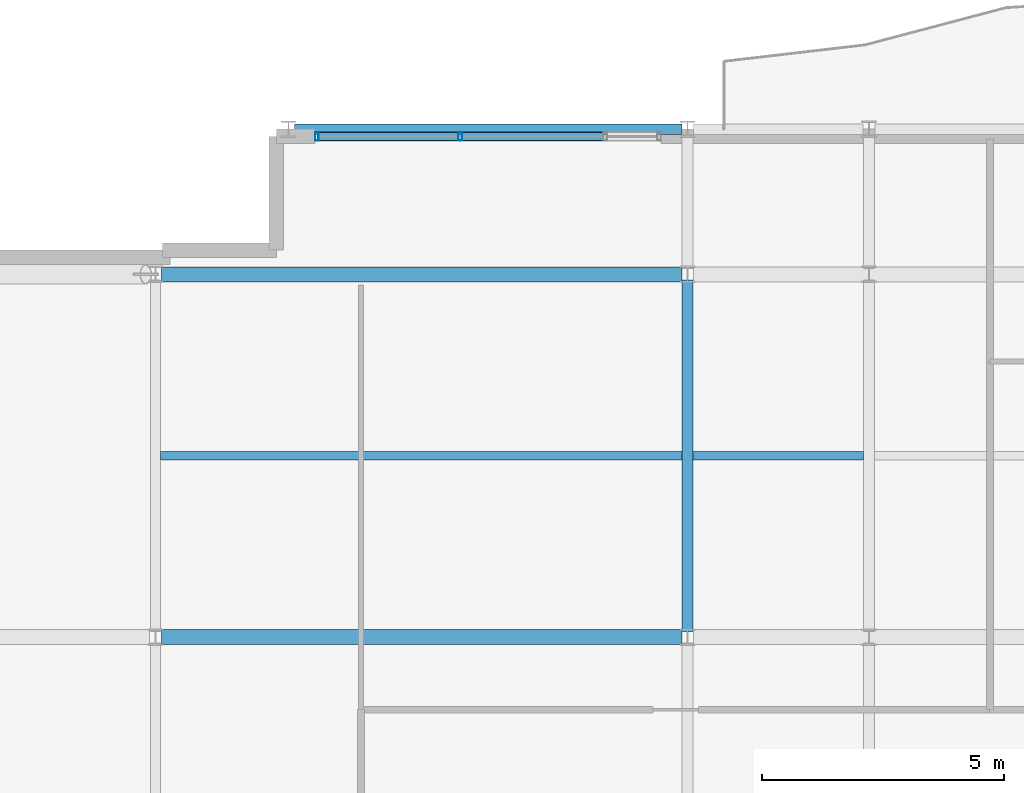
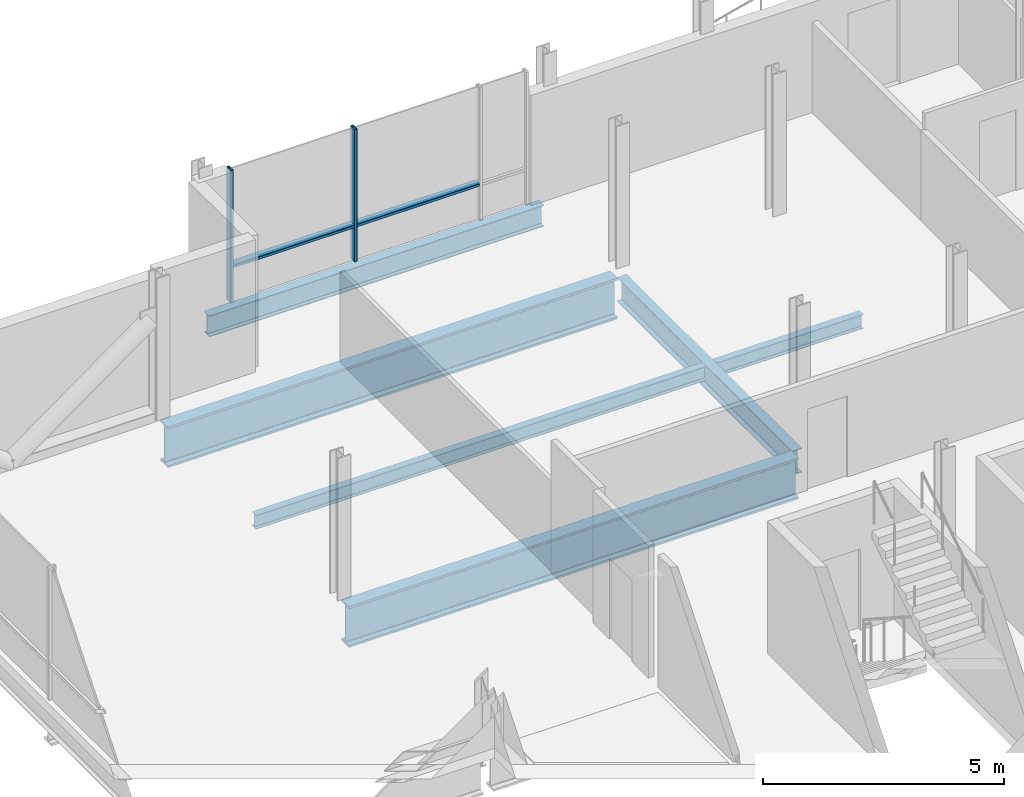
# One storey, part 5 of 18: 6 beams, 4 members, 1 element without a shape of its own.
"""IFC4 building model written with IfcOpenShell, lengths in metres."""

from ifc_helpers import new_model, si_unit, direction, frame, origin, origin_2d, place, context, subcontext, project, spatial, hollow_rectangle, i_section, extrude, material, layer, layer_set, material_profile, profile_set, type_object, element, aggregate, save


model = new_model("IFC4")

# Units and contexts
model_context = context("Model", 3, precision=1e-05, world=origin(), true_north=direction((0.0, 1.0)))
body_context = subcontext(model_context, "Body", "Model", "MODEL_VIEW")
ifc_project = project(units=[si_unit("LENGTHUNIT", "METRE"), si_unit("AREAUNIT", "SQUARE_METRE"), si_unit("VOLUMEUNIT", "CUBIC_METRE"), si_unit("PLANEANGLEUNIT", "RADIAN"), si_unit("MASSUNIT", "GRAM", prefix="KILO")], contexts=[model_context])

# Site, building, storey
site_placement = place(None, origin())
site = spatial("IfcSite", under=ifc_project, at=site_placement, CompositionType="ELEMENT")
building_placement = place(site_placement, origin())
building = spatial("IfcBuilding", under=site, at=building_placement, Name="Brevholm Reach", CompositionType="ELEMENT")
storey_placement = place(building_placement, frame((0.0, 0.0, 240.050048828125)))
storey = spatial("IfcBuildingStorey", under=building, at=storey_placement, Name="L73", CompositionType="ELEMENT", Elevation=240.050048828125)

# Beams
ifc_material_1 = material(Name="Structural Steel S355J2", Category="steel")
ifc_material_profile_1 = material_profile(ifc_material_1, i_section(OverallWidth=0.17138671875, OverallDepth=0.35498046875, WebThickness=0.00732421875, FlangeThickness=0.011474609375, FilletRadius=0.01025390625, at=origin_2d()), Name="UKB 356x171x51")
ifc_profile_set_1 = profile_set([ifc_material_profile_1], Name="Structural Steel S355J2")
beam_type_1 = type_object("IfcBeamType", Name="BM-B356", PredefinedType="BEAM", material=ifc_profile_set_1)
beam_1_placement = place(storey_placement, frame((27.35546875, 19.75, -0.427490234375), z_axis=(1.0, 0.0, 0.0), x_axis=(0.0, 1.0, 0.0)))
element("IfcBeam", 1, at=beam_1_placement, inside=storey, type_object=beam_type_1, Name="L73 Composite Secondary Floor Beam", PredefinedType="BEAM", context=body_context, shape_type="SweptSolid", body=[
    extrude(i_section(OverallWidth=0.17138671875, OverallDepth=0.35498046875, WebThickness=0.00732421875, FlangeThickness=0.011474609375, FilletRadius=0.01025390625, at=origin_2d()), origin(), (0.0, 0.0, 1.0), 10.780029296875),
])
beam_2_placement = place(storey_placement, frame((38.364501953125, 19.75, -0.427490234375), z_axis=(1.0, 0.0, 0.0), x_axis=(0.0, 1.0, 0.0)))
element("IfcBeam", 2, at=beam_2_placement, inside=storey, type_object=beam_type_1, Name="L73 Composite Secondary Floor Beam", PredefinedType="BEAM", context=body_context, shape_type="SweptSolid", body=[
    extrude(i_section(OverallWidth=0.17138671875, OverallDepth=0.35498046875, WebThickness=0.00732421875, FlangeThickness=0.011474609375, FilletRadius=0.01025390625, at=origin_2d()), origin(), (0.0, 0.0, 1.0), 3.52099609375),
])
ifc_material_2 = material(Name="Structural Steel S355J2", Category="steel")
ifc_material_profile_2 = material_profile(ifc_material_2, i_section(OverallWidth=0.210693359375, OverallDepth=0.53955078125, WebThickness=0.01171875, FlangeThickness=0.018798828125, FilletRadius=0.0126953125, at=origin_2d()), Name="UKB 533x210x109")
ifc_profile_set_2 = profile_set([ifc_material_profile_2], Name="Structural Steel S355J2")
beam_type_2 = type_object("IfcBeamType", Name="BM-SP539", PredefinedType="SPANDREL", material=ifc_profile_set_2)
beam_3_placement = place(storey_placement, frame((30.1201171875, 26.5, -0.519775390625), z_axis=(1.0, 0.0, 0.0), x_axis=(0.0, 1.0, 0.0)))
element("IfcBeam", 3, at=beam_3_placement, inside=storey, type_object=beam_type_2, Name="L73 SP-01B Framing Beam", PredefinedType="SPANDREL", context=body_context, shape_type="SweptSolid", body=[
    extrude(i_section(OverallWidth=0.210693359375, OverallDepth=0.53955078125, WebThickness=0.01171875, FlangeThickness=0.018798828125, FilletRadius=0.0126953125, at=origin_2d()), origin(), (0.0, 0.0, 1.0), 8.009765625),
])
ifc_material_3 = material(Name="Structural Steel S355J2", Category="steel")
ifc_material_profile_3 = material_profile(ifc_material_3, i_section(OverallWidth=0.22900390625, OverallDepth=0.6123046875, WebThickness=0.011962890625, FlangeThickness=0.01953125, FilletRadius=0.0126953125, at=origin_2d()), Name="UKB 610x229x125")
ifc_profile_set_3 = profile_set([ifc_material_profile_3], Name="Structural Steel S355J2")
beam_type_3 = type_object("IfcBeamType", Name="BM-SP610", PredefinedType="SPANDREL", material=ifc_profile_set_3)
beam_4_placement = place(storey_placement, frame((38.25, 16.1201171875, -0.55615234375), z_axis=(0.0, 1.0, 0.0), x_axis=(-1.0, 0.0, 0.0)))
element("IfcBeam", 4, at=beam_4_placement, inside=storey, type_object=beam_type_3, Name="L73 SP-01 Framing Beam", PredefinedType="SPANDREL", context=body_context, shape_type="SweptSolid", body=[
    extrude(i_section(OverallWidth=0.22900390625, OverallDepth=0.6123046875, WebThickness=0.011962890625, FlangeThickness=0.01953125, FilletRadius=0.0126953125, at=origin_2d()), origin(), (0.0, 0.0, 1.0), 7.259765625),
])
ifc_material_4 = material(Name="Structural Steel S460ML", Category="steel")
ifc_material_profile_4 = material_profile(ifc_material_4, i_section(OverallWidth=0.30859375, OverallDepth=1.036376953125, WebThickness=0.030029296875, FlangeThickness=0.05419921875, FilletRadius=0.030029296875, at=origin_2d()), Name="UKB 1016x305x487")
ifc_profile_set_4 = profile_set([ifc_material_profile_4], Name="Structural Steel S460ML")
beam_type_4 = type_object("IfcBeamType", Name="BM-UKB1016", PredefinedType="USERDEFINED", material=ifc_profile_set_4)
for number, where, z_axis, x_axis, name in (
    (5, (27.3701171875, 16.0, -0.768310546875), (1.0, 0.0, 0.0), (0.0, 1.0, 0.0), "L73 Sky-Lounge Back-Span Girder 1"),
    (6, (27.3701171875, 23.5, -0.768310546875), (1.0, 0.0, 0.0), (0.0, 1.0, 0.0), "L73 Sky-Lounge Back-Span Girder 1"),
):
    element("IfcBeam", number, at=place(storey_placement, frame(where, z_axis=z_axis, x_axis=x_axis)), inside=storey, type_object=beam_type_4, Name=name, ObjectType="GIRDER", PredefinedType="USERDEFINED", context=body_context, shape_type="SweptSolid", body=[
        extrude(i_section(OverallWidth=0.30859375, OverallDepth=1.036376953125, WebThickness=0.030029296875, FlangeThickness=0.05419921875, FilletRadius=0.030029296875, at=origin_2d()), origin(), (0.0, 0.0, 1.0), 10.759765625),
    ])

# Curtain wall, members
ifc_material_5 = material(Name="Dark Anodised Aluminium 6063-T6 and Solar-Control Glass", Category="aluminium")
ifc_layer = layer(ifc_material_5, 0.179931640625)
ifc_layer_set = layer_set([ifc_layer], Name="Dark Anodised Aluminium 6063-T6 and Solar-Control Glass")
curtain_wall_type = type_object("IfcCurtainWallType", Name="CW-05", PredefinedType="NOTDEFINED", material=ifc_layer_set)
curtain_wall_placement = place(storey_placement, origin())
curtain_wall = element("IfcCurtainWall", 7, at=curtain_wall_placement, inside=storey, type_object=curtain_wall_type, Name="L73 Curtain Wall CW-05", PredefinedType="NOTDEFINED")
ifc_material_6 = material(Name="Dark Anodised Aluminium 6063-T6", Category="aluminium")
ifc_material_profile_5 = material_profile(ifc_material_6, hollow_rectangle(XDim=0.074951171875, YDim=0.179931640625, WallThickness=0.006103515625, InnerFilletRadius=0.006103515625, OuterFilletRadius=0.011962890625, at=origin_2d()), Name="RHS 180x75x6")
ifc_profile_set_5 = profile_set([ifc_material_profile_5], Name="Dark Anodised Aluminium 6063-T6")
member_type_1 = type_object("IfcMemberType", Name="CWM-180", PredefinedType="MULLION", material=ifc_profile_set_5)
member_1_placement = place(storey_placement, frame((30.58740234375, 26.35009765625, 0.0), z_axis=(0.0, 0.0, 1.0), x_axis=(1.0, 0.0, 0.0)))
member_1 = element("IfcMember", 8, at=member_1_placement, type_object=member_type_1, Name="CM-180 Mullion 1", PredefinedType="MULLION", context=body_context, shape_type="SweptSolid", body=[
    extrude(hollow_rectangle(XDim=0.074951171875, YDim=0.179931640625, WallThickness=0.006103515625, InnerFilletRadius=0.006103515625, OuterFilletRadius=0.011962890625, at=origin_2d()), origin(), (0.0, 0.0, 1.0), 3.349853515625),
])
member_2_placement = place(storey_placement, frame((33.550048828125, 26.35009765625, 0.0), z_axis=(0.0, 0.0, 1.0), x_axis=(1.0, 0.0, 0.0)))
member_2 = element("IfcMember", 9, at=member_2_placement, type_object=member_type_1, Name="CM-180 Mullion 2", PredefinedType="MULLION", context=body_context, shape_type="SweptSolid", body=[
    extrude(hollow_rectangle(XDim=0.074951171875, YDim=0.179931640625, WallThickness=0.006103515625, InnerFilletRadius=0.006103515625, OuterFilletRadius=0.011962890625, at=origin_2d()), origin(), (0.0, 0.0, 1.0), 3.349853515625),
])
ifc_material_7 = material(Name="Dark Anodised Aluminium 6063-T6", Category="aluminium")
ifc_material_profile_6 = material_profile(ifc_material_7, hollow_rectangle(XDim=0.074951171875, YDim=0.179931640625, WallThickness=0.006103515625, InnerFilletRadius=0.006103515625, OuterFilletRadius=0.011962890625, at=origin_2d()), Name="RHS 180x75x6")
ifc_profile_set_6 = profile_set([ifc_material_profile_6], Name="Dark Anodised Aluminium 6063-T6")
member_type_2 = type_object("IfcMemberType", Name="CWT-180", PredefinedType="NOTDEFINED", material=ifc_profile_set_6)
member_3_placement = place(storey_placement, frame((30.625, 26.35009765625, 0.89990234375), z_axis=(1.0, 0.0, 0.0), x_axis=(0.0, 0.0, 1.0)))
member_3 = element("IfcMember", 10, at=member_3_placement, type_object=member_type_2, Name="CT-180 Transom 1.1", ObjectType="TRANSOM", PredefinedType="USERDEFINED", context=body_context, shape_type="SweptSolid", body=[
    extrude(hollow_rectangle(XDim=0.074951171875, YDim=0.179931640625, WallThickness=0.006103515625, InnerFilletRadius=0.006103515625, OuterFilletRadius=0.011962890625, at=origin_2d()), origin(), (0.0, 0.0, 1.0), 2.887451171875),
])
member_4_placement = place(storey_placement, frame((33.58740234375, 26.35009765625, 0.89990234375), z_axis=(1.0, 0.0, 0.0), x_axis=(0.0, 0.0, 1.0)))
member_4 = element("IfcMember", 11, at=member_4_placement, type_object=member_type_2, Name="CT-180 Transom 2.1", ObjectType="TRANSOM", PredefinedType="USERDEFINED", context=body_context, shape_type="SweptSolid", body=[
    extrude(hollow_rectangle(XDim=0.074951171875, YDim=0.179931640625, WallThickness=0.006103515625, InnerFilletRadius=0.006103515625, OuterFilletRadius=0.011962890625, at=origin_2d()), origin(), (0.0, 0.0, 1.0), 2.925048828125),
])
aggregate(curtain_wall, [member_1, member_2, member_3, member_4])

save(model, "model.ifc")
